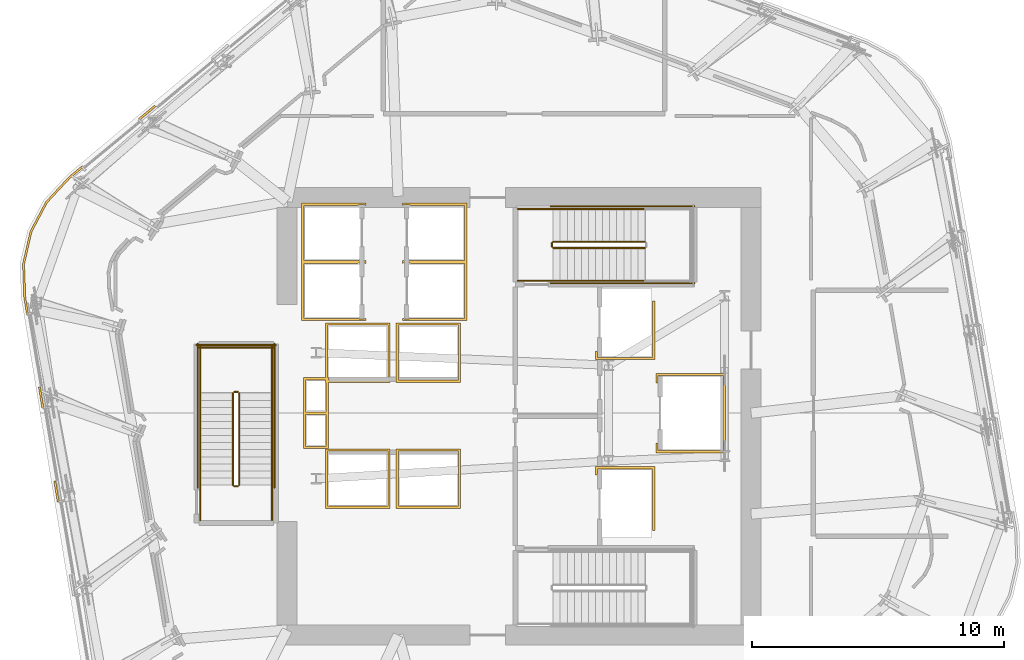
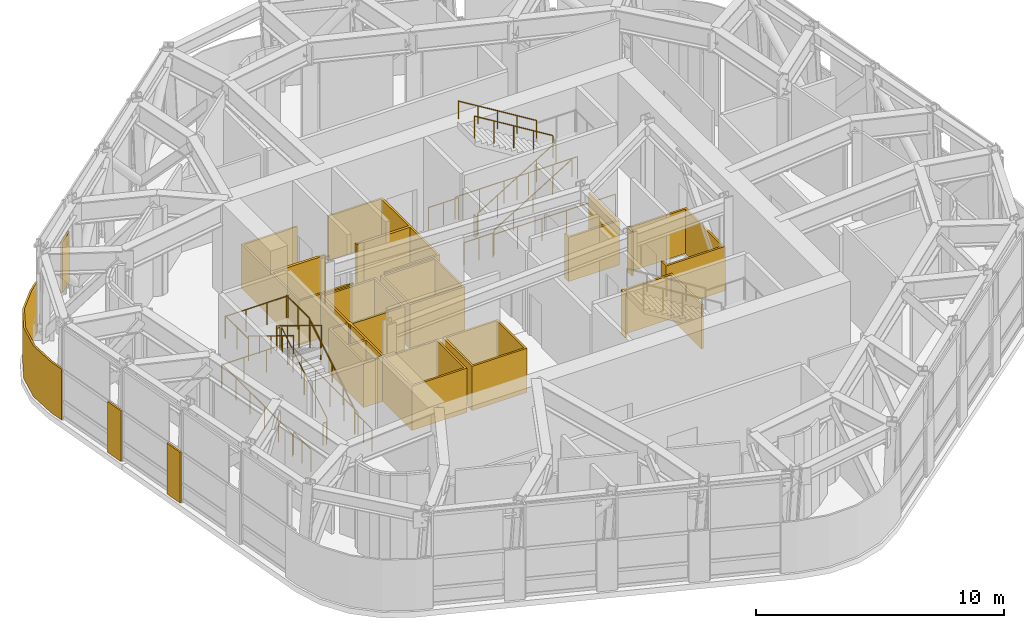
# One storey, part 14 of 16: 23 railings, 13 coverings.
"""IFC4 building model written with IfcOpenShell, lengths in metres."""

from ifc_helpers import new_model, si_unit, direction, frame, origin, origin_2d, place, context, subcontext, project, spatial, polyline, circle, outline, extrude, material, layer, layer_set, type_object, element, save


model = new_model("IFC4")

# Units and contexts
model_context = context("Model", 3, precision=1e-05, world=origin(), true_north=direction((0.0, 1.0)))
body_context = subcontext(model_context, "Body", "Model", "MODEL_VIEW")
ifc_project = project(units=[si_unit("LENGTHUNIT", "METRE"), si_unit("AREAUNIT", "SQUARE_METRE"), si_unit("VOLUMEUNIT", "CUBIC_METRE"), si_unit("PLANEANGLEUNIT", "RADIAN"), si_unit("MASSUNIT", "GRAM", prefix="KILO")], contexts=[model_context])

# Site, building, storey
site_placement = place(None, origin())
site = spatial("IfcSite", under=ifc_project, at=site_placement, CompositionType="ELEMENT")
building_placement = place(site_placement, origin())
building = spatial("IfcBuilding", under=site, at=building_placement, Name="Valkerne Bourse Tower", CompositionType="ELEMENT")
storey_placement = place(building_placement, frame((0.0, 0.0, 193.199951171875)))
storey = spatial("IfcBuildingStorey", under=building, at=storey_placement, Name="L49", CompositionType="ELEMENT", Elevation=193.199951171875)

# Coverings
ifc_material_1 = material(Name="Bronze Anodised Aluminium AA 6063-T6", Category="aluminium")
ifc_layer_1 = layer(ifc_material_1, 0.06005859375)
ifc_layer_set_1 = layer_set([ifc_layer_1], Name="Bronze Anodised Aluminium AA 6063-T6")
covering_type_1 = type_object("IfcCoveringType", Name="COV-CRN-ALUM", PredefinedType="CLADDING", material=ifc_layer_set_1)
covering_1_placement = place(storey_placement, origin())
element("IfcCovering", 1, at=covering_1_placement, inside=storey, type_object=covering_type_1, Name="L49 Wind-Shaped Corner Aluminium Cladding 11", PredefinedType="CLADDING", context=body_context, shape_type="SweptSolid", body=[
    extrude(outline(polyline([(28.3466796875, 24.304931640625), (28.42578125, 24.318115234375), (28.5615234375, 23.4892578125), (28.482666015625, 23.475830078125), (28.3466796875, 24.304931640625)])), origin(), (0.0, 0.0, 1.0), 2.5),
])
covering_2_placement = place(storey_placement, origin())
element("IfcCovering", 2, at=covering_2_placement, inside=storey, type_object=covering_type_1, Name="L49 Wind-Shaped Corner Aluminium Cladding 12", PredefinedType="CLADDING", context=body_context, shape_type="SweptSolid", body=[
    extrude(outline(polyline([(27.737060546875, 28.0263671875), (27.81591796875, 28.03955078125), (27.951904296875, 27.210693359375), (27.872802734375, 27.197509765625), (27.737060546875, 28.0263671875)])), origin(), (0.0, 0.0, 1.0), 2.5),
])
covering_3_placement = place(storey_placement, origin())
element("IfcCovering", 3, at=covering_3_placement, inside=storey, type_object=covering_type_1, Name="L49 Wind-Shaped Corner Aluminium Cladding 13", PredefinedType="CLADDING", context=body_context, shape_type="SweptSolid", body=[
    extrude(outline(polyline([(27.155029296875, 31.5791015625), (27.10595703125, 32.916015625), (27.4033203125, 34.21337890625), (28.026123046875, 35.389892578125), (28.93701171875, 36.3701171875), (29.4501953125, 36.79931640625), (29.501220703125, 36.737548828125), (28.9921875, 36.31201171875), (28.091796875, 35.34326171875), (27.47900390625, 34.185302734375), (27.186279296875, 32.908447265625), (27.23486328125, 31.5869140625), (27.342041015625, 30.93212890625), (27.26318359375, 30.918701171875), (27.155029296875, 31.5791015625)])), origin(), (0.0, 0.0, 1.0), 2.5),
])
covering_4_placement = place(storey_placement, origin())
element("IfcCovering", 4, at=covering_4_placement, inside=storey, type_object=covering_type_1, Name="L49 Wind-Shaped Corner Aluminium Cladding 14", PredefinedType="CLADDING", context=body_context, shape_type="SweptSolid", body=[
    extrude(outline(polyline([(32.343505859375, 39.218017578125), (32.394287109375, 39.15625), (31.75, 38.617431640625), (31.698974609375, 38.67919921875), (32.343505859375, 39.218017578125)])), origin(), (0.0, 0.0, 1.0), 2.5),
])
ifc_material_2 = material(Name="Gypsum Shaftwall Liner Board", Category="gypsum")
ifc_layer_2 = layer(ifc_material_2, 0.080078125)
ifc_layer_set_2 = layer_set([ifc_layer_2], Name="Gypsum Shaftwall Liner Board")
covering_type_2 = type_object("IfcCoveringType", Name="COV-SHF-CLAD", PredefinedType="CLADDING", material=ifc_layer_set_2)
covering_5_placement = place(storey_placement, origin())
element("IfcCovering", 5, at=covering_5_placement, inside=storey, type_object=covering_type_2, Name="L49 Hoistway & Riser Shaftwall Liner 01", PredefinedType="CLADDING", context=body_context, shape_type="SweptSolid", body=[
    extrude(outline(polyline([(41.679931640625, 25.580078125), (41.679931640625, 23.219970703125), (39.1201171875, 23.219970703125), (39.1201171875, 25.580078125), (41.679931640625, 25.580078125)]), holes=[polyline([(41.590087890625, 25.489990234375), (39.2099609375, 25.489990234375), (39.2099609375, 23.31005859375), (41.590087890625, 23.31005859375), (41.590087890625, 25.489990234375)])]), origin(), (0.0, 0.0, 1.0), 2.179931640625),
])
covering_6_placement = place(storey_placement, origin())
element("IfcCovering", 6, at=covering_6_placement, inside=storey, type_object=covering_type_2, Name="L49 Hoistway & Riser Shaftwall Liner 02", PredefinedType="CLADDING", context=body_context, shape_type="SweptSolid", body=[
    extrude(outline(polyline([(44.47998046875, 23.219970703125), (41.919921875, 23.219970703125), (41.919921875, 25.580078125), (44.47998046875, 25.580078125), (44.47998046875, 23.219970703125)]), holes=[polyline([(42.010009765625, 25.489990234375), (42.010009765625, 23.31005859375), (44.389892578125, 23.31005859375), (44.389892578125, 25.489990234375), (42.010009765625, 25.489990234375)])]), origin(), (0.0, 0.0, 1.0), 2.179931640625),
])
covering_7_placement = place(storey_placement, origin())
element("IfcCovering", 7, at=covering_7_placement, inside=storey, type_object=covering_type_2, Name="L49 Hoistway & Riser Shaftwall Liner 03", PredefinedType="CLADDING", context=body_context, shape_type="SweptSolid", body=[
    extrude(outline(polyline([(38.239990234375, 28.409912109375), (39.1201171875, 28.409912109375), (39.1201171875, 30.580078125), (41.679931640625, 30.580078125), (41.679931640625, 28.219970703125), (39.239990234375, 28.219970703125), (39.239990234375, 27.0400390625), (39.239990234375, 26.9599609375), (39.239990234375, 25.590087890625), (38.239990234375, 25.590087890625), (38.239990234375, 26.9599609375), (38.239990234375, 27.0400390625), (38.239990234375, 28.409912109375)]), holes=[polyline([(38.330078125, 26.949951171875), (38.330078125, 25.679931640625), (39.14990234375, 25.679931640625), (39.14990234375, 26.949951171875), (38.330078125, 26.949951171875)]), polyline([(39.2099609375, 30.489990234375), (39.2099609375, 28.409912109375), (39.239990234375, 28.409912109375), (39.239990234375, 28.31005859375), (41.590087890625, 28.31005859375), (41.590087890625, 30.489990234375), (39.2099609375, 30.489990234375)]), polyline([(38.330078125, 27.050048828125), (39.14990234375, 27.050048828125), (39.14990234375, 28.219970703125), (39.1201171875, 28.219970703125), (39.1201171875, 28.320068359375), (38.330078125, 28.320068359375), (38.330078125, 27.050048828125)])]), origin(), (0.0, 0.0, 1.0), 2.179931640625),
])
covering_8_placement = place(storey_placement, origin())
element("IfcCovering", 8, at=covering_8_placement, inside=storey, type_object=covering_type_2, Name="L49 Hoistway & Riser Shaftwall Liner 04", PredefinedType="CLADDING", context=body_context, shape_type="SweptSolid", body=[
    extrude(outline(polyline([(38.169921875, 35.330078125), (40.72998046875, 35.330078125), (40.72998046875, 35.232177734375), (40.72216796875, 35.235595703125), (40.6806640625, 35.25048828125), (40.6376953125, 35.261474609375), (40.593994140625, 35.267822265625), (40.550048828125, 35.27001953125), (40.505859375, 35.267822265625), (40.462158203125, 35.261474609375), (40.41943359375, 35.25048828125), (40.3896484375, 35.239990234375), (38.260009765625, 35.239990234375), (38.260009765625, 33.06005859375), (40.3896484375, 33.06005859375), (40.41943359375, 33.04931640625), (40.462158203125, 33.03857421875), (40.505859375, 33.0322265625), (40.550048828125, 33.030029296875), (40.593994140625, 33.0322265625), (40.6376953125, 33.03857421875), (40.6806640625, 33.04931640625), (40.72216796875, 33.064208984375), (40.72998046875, 33.06787109375), (40.72998046875, 33.030029296875), (40.72998046875, 32.969970703125), (40.72998046875, 32.93212890625), (40.72216796875, 32.935791015625), (40.6806640625, 32.95068359375), (40.6376953125, 32.96142578125), (40.593994140625, 32.9677734375), (40.550048828125, 32.969970703125), (40.505859375, 32.9677734375), (40.462158203125, 32.96142578125), (40.41943359375, 32.95068359375), (40.3896484375, 32.93994140625), (38.260009765625, 32.93994140625), (38.260009765625, 30.760009765625), (40.3896484375, 30.760009765625), (40.41943359375, 30.74951171875), (40.462158203125, 30.738525390625), (40.505859375, 30.732177734375), (40.550048828125, 30.72998046875), (40.593994140625, 30.732177734375), (40.6376953125, 30.738525390625), (40.6806640625, 30.74951171875), (40.72216796875, 30.764404296875), (40.72998046875, 30.767822265625), (40.72998046875, 30.669921875), (38.169921875, 30.669921875), (38.169921875, 32.969970703125), (38.169921875, 33.030029296875), (38.169921875, 35.330078125)])), origin(), (0.0, 0.0, 1.0), 2.179931640625),
])
covering_9_placement = place(storey_placement, origin())
element("IfcCovering", 9, at=covering_9_placement, inside=storey, type_object=covering_type_2, Name="L49 Hoistway & Riser Shaftwall Liner 05", PredefinedType="CLADDING", context=body_context, shape_type="SweptSolid", body=[
    extrude(outline(polyline([(52.179931640625, 22.35009765625), (52.090087890625, 22.35009765625), (52.090087890625, 24.7900390625), (49.909912109375, 24.7900390625), (49.909912109375, 24.560791015625), (49.869384765625, 24.550537109375), (49.827880859375, 24.53564453125), (49.820068359375, 24.531982421875), (49.820068359375, 24.8798828125), (52.179931640625, 24.8798828125), (52.179931640625, 22.35009765625)])), origin(), (0.0, 0.0, 1.0), 2.179931640625),
])
covering_10_placement = place(storey_placement, origin())
element("IfcCovering", 10, at=covering_10_placement, inside=storey, type_object=covering_type_2, Name="L49 Hoistway & Riser Shaftwall Liner 06", PredefinedType="CLADDING", context=body_context, shape_type="SweptSolid", body=[
    extrude(outline(polyline([(54.97998046875, 25.419921875), (52.219970703125, 25.419921875), (52.219970703125, 25.81787109375), (52.227783203125, 25.814208984375), (52.269287109375, 25.79931640625), (52.31005859375, 25.789306640625), (52.31005859375, 25.510009765625), (54.889892578125, 25.510009765625), (54.889892578125, 28.489990234375), (52.31005859375, 28.489990234375), (52.31005859375, 28.210693359375), (52.269287109375, 28.20068359375), (52.227783203125, 28.185791015625), (52.219970703125, 28.18212890625), (52.219970703125, 28.580078125), (54.97998046875, 28.580078125), (54.97998046875, 25.419921875)])), origin(), (0.0, 0.0, 1.0), 2.179931640625),
])
covering_11_placement = place(storey_placement, origin())
element("IfcCovering", 11, at=covering_11_placement, inside=storey, type_object=covering_type_2, Name="L49 Hoistway & Riser Shaftwall Liner 07", PredefinedType="CLADDING", context=body_context, shape_type="SweptSolid", body=[
    extrude(outline(polyline([(44.47998046875, 28.219970703125), (41.919921875, 28.219970703125), (41.919921875, 30.580078125), (44.47998046875, 30.580078125), (44.47998046875, 28.219970703125)]), holes=[polyline([(42.010009765625, 30.489990234375), (42.010009765625, 28.31005859375), (44.389892578125, 28.31005859375), (44.389892578125, 30.489990234375), (42.010009765625, 30.489990234375)])]), origin(), (0.0, 0.0, 1.0), 2.179931640625),
])
covering_12_placement = place(storey_placement, origin())
element("IfcCovering", 12, at=covering_12_placement, inside=storey, type_object=covering_type_2, Name="L49 Hoistway & Riser Shaftwall Liner 08", PredefinedType="CLADDING", context=body_context, shape_type="SweptSolid", body=[
    extrude(outline(polyline([(49.820068359375, 29.1201171875), (49.820068359375, 29.468017578125), (49.827880859375, 29.46435546875), (49.869384765625, 29.449462890625), (49.909912109375, 29.439208984375), (49.909912109375, 29.2099609375), (52.090087890625, 29.2099609375), (52.090087890625, 31.449951171875), (52.179931640625, 31.449951171875), (52.179931640625, 29.1201171875), (49.820068359375, 29.1201171875)])), origin(), (0.0, 0.0, 1.0), 2.179931640625),
])
covering_13_placement = place(storey_placement, origin())
element("IfcCovering", 13, at=covering_13_placement, inside=storey, type_object=covering_type_2, Name="L49 Hoistway & Riser Shaftwall Liner 09", PredefinedType="CLADDING", context=body_context, shape_type="SweptSolid", body=[
    extrude(outline(polyline([(42.169921875, 33.06787109375), (42.177734375, 33.064208984375), (42.219482421875, 33.04931640625), (42.26220703125, 33.03857421875), (42.305908203125, 33.0322265625), (42.35009765625, 33.030029296875), (42.39404296875, 33.0322265625), (42.437744140625, 33.03857421875), (42.480712890625, 33.04931640625), (42.51025390625, 33.06005859375), (44.639892578125, 33.06005859375), (44.639892578125, 35.239990234375), (42.51025390625, 35.239990234375), (42.480712890625, 35.25048828125), (42.437744140625, 35.261474609375), (42.39404296875, 35.267822265625), (42.35009765625, 35.27001953125), (42.305908203125, 35.267822265625), (42.26220703125, 35.261474609375), (42.219482421875, 35.25048828125), (42.177734375, 35.235595703125), (42.169921875, 35.232177734375), (42.169921875, 35.330078125), (44.72998046875, 35.330078125), (44.72998046875, 33.030029296875), (44.72998046875, 32.969970703125), (44.72998046875, 30.669921875), (42.169921875, 30.669921875), (42.169921875, 30.767822265625), (42.177734375, 30.764404296875), (42.219482421875, 30.74951171875), (42.26220703125, 30.738525390625), (42.305908203125, 30.732177734375), (42.35009765625, 30.72998046875), (42.39404296875, 30.732177734375), (42.437744140625, 30.738525390625), (42.480712890625, 30.74951171875), (42.51025390625, 30.760009765625), (44.639892578125, 30.760009765625), (44.639892578125, 32.93994140625), (42.51025390625, 32.93994140625), (42.480712890625, 32.95068359375), (42.437744140625, 32.96142578125), (42.39404296875, 32.9677734375), (42.35009765625, 32.969970703125), (42.305908203125, 32.9677734375), (42.26220703125, 32.96142578125), (42.219482421875, 32.95068359375), (42.177734375, 32.935791015625), (42.169921875, 32.93212890625), (42.169921875, 32.969970703125), (42.169921875, 33.030029296875), (42.169921875, 33.06787109375)])), origin(), (0.0, 0.0, 1.0), 2.179931640625),
])

# Railings
ifc_material_3 = material(Name="Galvanised Painted Steel", Category="steel")
railing_type_1 = type_object("IfcRailingType", Name="RLG-ST-GUARD-1120", PredefinedType="GUARDRAIL", material=ifc_material_3)
railing_1_placement = place(storey_placement, frame((48.14990234375, 33.550048828125, 0.17138671875)))
element("IfcRailing", 14, at=railing_1_placement, inside=storey, type_object=railing_type_1, Name="L49 ST-2 stair guard 1", PredefinedType="GUARDRAIL", context=body_context, shape_type="SweptSolid", body=[
    extrude(circle(Radius=0.02392578125, at=origin_2d()), frame((0.0, 0.0, 1.09619140625), z_axis=(0.852840387347, 0.0, 0.522171689878), x_axis=(0.0, 1.0, 0.0)), (0.0, 0.0, 1.0), 4.268310546875),
    extrude(circle(Radius=0.02099609375, at=origin_2d()), origin(), (0.0, 0.0, 1.0), 1.072021484375),
    extrude(circle(Radius=0.02099609375, at=origin_2d()), frame((0.91015625, 0.0, 0.55712890625)), (0.0, 0.0, 1.0), 1.072021484375),
    extrude(circle(Radius=0.02099609375, at=origin_2d()), frame((1.820068359375, 0.0, 1.1142578125)), (0.0, 0.0, 1.0), 1.072021484375),
    extrude(circle(Radius=0.02099609375, at=origin_2d()), frame((2.72998046875, 0.0, 1.671630859375)), (0.0, 0.0, 1.0), 1.072021484375),
    extrude(circle(Radius=0.02099609375, at=origin_2d()), frame((3.64013671875, 0.0, 2.228759765625)), (0.0, 0.0, 1.0), 1.072021484375),
])
railing_2_placement = place(storey_placement, frame((51.7900390625, 33.800048828125, 2.571533203125)))
element("IfcRailing", 15, at=railing_2_placement, inside=storey, type_object=railing_type_1, Name="L49 ST-2 stair guard 6", PredefinedType="GUARDRAIL", context=body_context, shape_type="SweptSolid", body=[
    extrude(circle(Radius=0.02392578125, at=origin_2d()), frame((0.0, 0.0, 1.09619140625), z_axis=(-0.852865859571, 0.0, 0.52213008492), x_axis=(0.0, -1.0, 0.0)), (0.0, 0.0, 1.0), 4.26806640625),
    extrude(circle(Radius=0.02099609375, at=origin_2d()), origin(), (0.0, 0.0, 1.0), 1.072021484375),
    extrude(circle(Radius=0.02099609375, at=origin_2d()), frame((-0.91015625, 0.0, 0.55712890625)), (0.0, 0.0, 1.0), 1.072021484375),
    extrude(circle(Radius=0.02099609375, at=origin_2d()), frame((-1.820068359375, 0.0, 1.1142578125)), (0.0, 0.0, 1.0), 1.072021484375),
    extrude(circle(Radius=0.02099609375, at=origin_2d()), frame((-2.72998046875, 0.0, 1.67138671875)), (0.0, 0.0, 1.0), 1.072021484375),
    extrude(circle(Radius=0.02099609375, at=origin_2d()), frame((-3.64013671875, 0.0, 2.228515625)), (0.0, 0.0, 1.0), 1.072021484375),
])
railing_3_placement = place(storey_placement, frame((48.10009765625, 33.60009765625, 0.0)))
element("IfcRailing", 16, at=railing_3_placement, inside=storey, type_object=railing_type_1, Name="L49 ST-2 stair guard 7", PredefinedType="GUARDRAIL", context=body_context, shape_type="SweptSolid", body=[
    extrude(circle(Radius=0.02392578125, at=origin_2d()), frame((0.0, 0.0, 1.09619140625), z_axis=(0.0, 1.0, 0.0), x_axis=(-1.0, 0.0, 0.0)), (0.0, 0.0, 1.0), 0.14990234375),
    extrude(circle(Radius=0.02099609375, at=origin_2d()), origin(), (0.0, 0.0, 1.0), 1.072021484375),
    extrude(circle(Radius=0.02099609375, at=origin_2d()), frame((0.0, 0.14990234375, 0.0)), (0.0, 0.0, 1.0), 1.072021484375),
])
for number, where, name in (
    (17, (46.75, 32.25, 0.0), "L49 ST-2 stair guard 8"),
    (18, (46.75, 35.10009765625, 0.0), "L49 ST-2 stair guard 9"),
):
    element("IfcRailing", number, at=place(storey_placement, frame(where)), inside=storey, type_object=railing_type_1, Name=name, PredefinedType="GUARDRAIL", context=body_context, shape_type="SweptSolid", body=[
        extrude(circle(Radius=0.02392578125, at=origin_2d()), frame((0.0, 0.0, 1.09619140625), z_axis=(1.0, 0.0, 0.0), x_axis=(0.0, 1.0, 0.0)), (0.0, 0.0, 1.0), 1.39990234375),
        extrude(circle(Radius=0.02099609375, at=origin_2d()), origin(), (0.0, 0.0, 1.0), 1.072021484375),
        extrude(circle(Radius=0.02099609375, at=origin_2d()), frame((0.699951171875, 0.0, 0.0)), (0.0, 0.0, 1.0), 1.072021484375),
        extrude(circle(Radius=0.02099609375, at=origin_2d()), frame((1.39990234375, 0.0, 0.0)), (0.0, 0.0, 1.0), 1.072021484375),
    ])
for number, where, name in (
    (19, (48.050048828125, 32.14990234375, 0.0), "L49 ST-2 stair guard 10"),
    (20, (48.050048828125, 35.199951171875, 0.0), "L49 ST-2 stair guard 11"),
):
    element("IfcRailing", number, at=place(storey_placement, frame(where)), inside=storey, type_object=railing_type_1, Name=name, PredefinedType="GUARDRAIL", context=body_context, shape_type="SweptSolid", body=[
        extrude(circle(Radius=0.02392578125, at=origin_2d()), frame((0.0, 0.0, 1.09619140625), z_axis=(1.0, 0.0, 0.0), x_axis=(0.0, 1.0, 0.0)), (0.0, 0.0, 1.0), 5.699951171875),
        extrude(circle(Radius=0.02099609375, at=origin_2d()), origin(), (0.0, 0.0, 1.0), 1.072021484375),
        extrude(circle(Radius=0.02099609375, at=origin_2d()), frame((1.139892578125, 0.0, 0.0)), (0.0, 0.0, 1.0), 1.072021484375),
        extrude(circle(Radius=0.02099609375, at=origin_2d()), frame((2.280029296875, 0.0, 0.0)), (0.0, 0.0, 1.0), 1.072021484375),
        extrude(circle(Radius=0.02099609375, at=origin_2d()), frame((3.419921875, 0.0, 0.0)), (0.0, 0.0, 1.0), 1.072021484375),
        extrude(circle(Radius=0.02099609375, at=origin_2d()), frame((4.56005859375, 0.0, 0.0)), (0.0, 0.0, 1.0), 1.072021484375),
        extrude(circle(Radius=0.02099609375, at=origin_2d()), frame((5.699951171875, 0.0, 0.0)), (0.0, 0.0, 1.0), 1.072021484375),
    ])
railing_4_placement = place(storey_placement, frame((35.699951171875, 24.14990234375, 0.17138671875)))
element("IfcRailing", 21, at=railing_4_placement, inside=storey, type_object=railing_type_1, Name="L49 ST-3 stair guard 1", PredefinedType="GUARDRAIL", context=body_context, shape_type="SweptSolid", body=[
    extrude(circle(Radius=0.02392578125, at=origin_2d()), frame((0.0, 0.0, 1.09619140625), z_axis=(0.0, 0.852840387347, 0.522171689878), x_axis=(-1.0, 0.0, 0.0)), (0.0, 0.0, 1.0), 4.268310546875),
    extrude(circle(Radius=0.02099609375, at=origin_2d()), origin(), (0.0, 0.0, 1.0), 1.072021484375),
    extrude(circle(Radius=0.02099609375, at=origin_2d()), frame((0.0, 0.91015625, 0.55712890625)), (0.0, 0.0, 1.0), 1.072021484375),
    extrude(circle(Radius=0.02099609375, at=origin_2d()), frame((0.0, 1.820068359375, 1.1142578125)), (0.0, 0.0, 1.0), 1.072021484375),
    extrude(circle(Radius=0.02099609375, at=origin_2d()), frame((0.0, 2.72998046875, 1.671630859375)), (0.0, 0.0, 1.0), 1.072021484375),
    extrude(circle(Radius=0.02099609375, at=origin_2d()), frame((0.0, 3.64013671875, 2.228759765625)), (0.0, 0.0, 1.0), 1.072021484375),
])
railing_5_placement = place(storey_placement, frame((35.64990234375, 27.840087890625, 2.400146484375)))
element("IfcRailing", 22, at=railing_5_placement, inside=storey, type_object=railing_type_1, Name="L49 ST-3 stair guard 2", PredefinedType="GUARDRAIL", context=body_context, shape_type="SweptSolid", body=[
    extrude(circle(Radius=0.02392578125, at=origin_2d()), frame((0.0, 0.0, 1.09619140625), z_axis=(-1.0, 0.0, 0.0), x_axis=(0.0, -1.0, 0.0)), (0.0, 0.0, 1.0), 0.14990234375),
    extrude(circle(Radius=0.02099609375, at=origin_2d()), origin(), (0.0, 0.0, 1.0), 1.072021484375),
    extrude(circle(Radius=0.02099609375, at=origin_2d()), frame((-0.14990234375, 0.0, 0.0)), (0.0, 0.0, 1.0), 1.072021484375),
])
for number, where, name in (
    (23, (37.0, 27.7900390625, 2.400146484375), "L49 ST-3 stair guard 3"),
    (24, (34.14990234375, 27.7900390625, 2.400146484375), "L49 ST-3 stair guard 4"),
):
    element("IfcRailing", number, at=place(storey_placement, frame(where)), inside=storey, type_object=railing_type_1, Name=name, PredefinedType="GUARDRAIL", context=body_context, shape_type="SweptSolid", body=[
        extrude(circle(Radius=0.02392578125, at=origin_2d()), frame((0.0, 0.0, 1.09619140625), z_axis=(0.0, 1.0, 0.0), x_axis=(-1.0, 0.0, 0.0)), (0.0, 0.0, 1.0), 1.85986328125),
        extrude(circle(Radius=0.02099609375, at=origin_2d()), origin(), (0.0, 0.0, 1.0), 1.072021484375),
        extrude(circle(Radius=0.02099609375, at=origin_2d()), frame((0.0, 0.929931640625, 0.0)), (0.0, 0.0, 1.0), 1.072021484375),
        extrude(circle(Radius=0.02099609375, at=origin_2d()), frame((0.0, 1.85986328125, 0.0)), (0.0, 0.0, 1.0), 1.072021484375),
    ])
railing_6_placement = place(storey_placement, frame((37.050048828125, 29.60009765625, 2.400146484375)))
element("IfcRailing", 25, at=railing_6_placement, inside=storey, type_object=railing_type_1, Name="L49 ST-3 stair guard 5", PredefinedType="GUARDRAIL", context=body_context, shape_type="SweptSolid", body=[
    extrude(circle(Radius=0.02392578125, at=origin_2d()), frame((0.0, 0.0, 1.09619140625), z_axis=(-1.0, 0.0, 0.0), x_axis=(0.0, -1.0, 0.0)), (0.0, 0.0, 1.0), 2.949951171875),
    extrude(circle(Radius=0.02099609375, at=origin_2d()), origin(), (0.0, 0.0, 1.0), 1.072021484375),
    extrude(circle(Radius=0.02099609375, at=origin_2d()), frame((-0.9833984375, 0.0, 0.0)), (0.0, 0.0, 1.0), 1.072021484375),
    extrude(circle(Radius=0.02099609375, at=origin_2d()), frame((-1.966552734375, 0.0, 0.0)), (0.0, 0.0, 1.0), 1.072021484375),
    extrude(circle(Radius=0.02099609375, at=origin_2d()), frame((-2.949951171875, 0.0, 0.0)), (0.0, 0.0, 1.0), 1.072021484375),
])
railing_7_placement = place(storey_placement, frame((35.449951171875, 27.7900390625, 2.571533203125)))
element("IfcRailing", 26, at=railing_7_placement, inside=storey, type_object=railing_type_1, Name="L49 ST-3 stair guard 6", PredefinedType="GUARDRAIL", context=body_context, shape_type="SweptSolid", body=[
    extrude(circle(Radius=0.02392578125, at=origin_2d()), frame((0.0, 0.0, 1.09619140625), z_axis=(0.0, -0.852865859571, 0.52213008492), x_axis=(1.0, 0.0, 0.0)), (0.0, 0.0, 1.0), 4.26806640625),
    extrude(circle(Radius=0.02099609375, at=origin_2d()), origin(), (0.0, 0.0, 1.0), 1.072021484375),
    extrude(circle(Radius=0.02099609375, at=origin_2d()), frame((0.0, -0.91015625, 0.55712890625)), (0.0, 0.0, 1.0), 1.072021484375),
    extrude(circle(Radius=0.02099609375, at=origin_2d()), frame((0.0, -1.820068359375, 1.1142578125)), (0.0, 0.0, 1.0), 1.072021484375),
    extrude(circle(Radius=0.02099609375, at=origin_2d()), frame((0.0, -2.72998046875, 1.67138671875)), (0.0, 0.0, 1.0), 1.072021484375),
    extrude(circle(Radius=0.02099609375, at=origin_2d()), frame((0.0, -3.64013671875, 2.228515625)), (0.0, 0.0, 1.0), 1.072021484375),
])
railing_8_placement = place(storey_placement, frame((35.64990234375, 24.10009765625, 0.0)))
element("IfcRailing", 27, at=railing_8_placement, inside=storey, type_object=railing_type_1, Name="L49 ST-3 stair guard 7", PredefinedType="GUARDRAIL", context=body_context, shape_type="SweptSolid", body=[
    extrude(circle(Radius=0.02392578125, at=origin_2d()), frame((0.0, 0.0, 1.09619140625), z_axis=(-1.0, 0.0, 0.0), x_axis=(0.0, -1.0, 0.0)), (0.0, 0.0, 1.0), 0.14990234375),
    extrude(circle(Radius=0.02099609375, at=origin_2d()), origin(), (0.0, 0.0, 1.0), 1.072021484375),
    extrude(circle(Radius=0.02099609375, at=origin_2d()), frame((-0.14990234375, 0.0, 0.0)), (0.0, 0.0, 1.0), 1.072021484375),
])
for number, where, name in (
    (28, (37.0, 22.75, 0.0), "L49 ST-3 stair guard 8"),
    (29, (34.14990234375, 22.75, 0.0), "L49 ST-3 stair guard 9"),
):
    element("IfcRailing", number, at=place(storey_placement, frame(where)), inside=storey, type_object=railing_type_1, Name=name, PredefinedType="GUARDRAIL", context=body_context, shape_type="SweptSolid", body=[
        extrude(circle(Radius=0.02392578125, at=origin_2d()), frame((0.0, 0.0, 1.09619140625), z_axis=(0.0, 1.0, 0.0), x_axis=(-1.0, 0.0, 0.0)), (0.0, 0.0, 1.0), 1.39990234375),
        extrude(circle(Radius=0.02099609375, at=origin_2d()), origin(), (0.0, 0.0, 1.0), 1.072021484375),
        extrude(circle(Radius=0.02099609375, at=origin_2d()), frame((0.0, 0.699951171875, 0.0)), (0.0, 0.0, 1.0), 1.072021484375),
        extrude(circle(Radius=0.02099609375, at=origin_2d()), frame((0.0, 1.39990234375, 0.0)), (0.0, 0.0, 1.0), 1.072021484375),
    ])
for number, where, name in (
    (30, (37.10009765625, 24.050048828125, 0.0), "L49 ST-3 stair guard 10"),
    (31, (34.050048828125, 24.050048828125, 0.0), "L49 ST-3 stair guard 11"),
):
    element("IfcRailing", number, at=place(storey_placement, frame(where)), inside=storey, type_object=railing_type_1, Name=name, PredefinedType="GUARDRAIL", context=body_context, shape_type="SweptSolid", body=[
        extrude(circle(Radius=0.02392578125, at=origin_2d()), frame((0.0, 0.0, 1.09619140625), z_axis=(0.0, 1.0, 0.0), x_axis=(-1.0, 0.0, 0.0)), (0.0, 0.0, 1.0), 5.699951171875),
        extrude(circle(Radius=0.02099609375, at=origin_2d()), origin(), (0.0, 0.0, 1.0), 1.072021484375),
        extrude(circle(Radius=0.02099609375, at=origin_2d()), frame((0.0, 1.139892578125, 0.0)), (0.0, 0.0, 1.0), 1.072021484375),
        extrude(circle(Radius=0.02099609375, at=origin_2d()), frame((0.0, 2.280029296875, 0.0)), (0.0, 0.0, 1.0), 1.072021484375),
        extrude(circle(Radius=0.02099609375, at=origin_2d()), frame((0.0, 3.419921875, 0.0)), (0.0, 0.0, 1.0), 1.072021484375),
        extrude(circle(Radius=0.02099609375, at=origin_2d()), frame((0.0, 4.56005859375, 0.0)), (0.0, 0.0, 1.0), 1.072021484375),
        extrude(circle(Radius=0.02099609375, at=origin_2d()), frame((0.0, 5.699951171875, 0.0)), (0.0, 0.0, 1.0), 1.072021484375),
    ])
railing_9_placement = place(storey_placement, frame((37.14990234375, 29.699951171875, 0.0)))
element("IfcRailing", 32, at=railing_9_placement, inside=storey, type_object=railing_type_1, Name="L49 ST-3 stair guard 12", PredefinedType="GUARDRAIL", context=body_context, shape_type="SweptSolid", body=[
    extrude(circle(Radius=0.02392578125, at=origin_2d()), frame((0.0, 0.0, 1.09619140625), z_axis=(-1.0, 0.0, 0.0), x_axis=(0.0, -1.0, 0.0)), (0.0, 0.0, 1.0), 3.14990234375),
    extrude(circle(Radius=0.02099609375, at=origin_2d()), origin(), (0.0, 0.0, 1.0), 1.072021484375),
    extrude(circle(Radius=0.02099609375, at=origin_2d()), frame((-1.050048828125, 0.0, 0.0)), (0.0, 0.0, 1.0), 1.072021484375),
    extrude(circle(Radius=0.02099609375, at=origin_2d()), frame((-2.099853515625, 0.0, 0.0)), (0.0, 0.0, 1.0), 1.072021484375),
    extrude(circle(Radius=0.02099609375, at=origin_2d()), frame((-3.14990234375, 0.0, 0.0)), (0.0, 0.0, 1.0), 1.072021484375),
])
ifc_material_4 = material(Name="Stainless Steel AISI 316", Category="steel")
railing_type_2 = type_object("IfcRailingType", Name="RLG-ST-HANDRAIL-900", PredefinedType="HANDRAIL", material=ifc_material_4)
railing_10_placement = place(storey_placement, frame((48.14990234375, 32.25, 0.343017578125)))
element("IfcRailing", 33, at=railing_10_placement, inside=storey, type_object=railing_type_2, Name="L49 ST-2 stair handrail 1", PredefinedType="HANDRAIL", context=body_context, shape_type="SweptSolid", body=[
    extrude(circle(Radius=0.02392578125, at=origin_2d()), frame((0.0, 0.0, 0.8759765625), z_axis=(0.852865859571, 0.0, 0.52213008492), x_axis=(0.0, 1.0, 0.0)), (0.0, 0.0, 1.0), 4.26806640625),
    extrude(circle(Radius=0.02099609375, at=origin_2d()), origin(), (0.0, 0.0, 1.0), 0.851806640625),
    extrude(circle(Radius=0.02099609375, at=origin_2d()), frame((0.91015625, 0.0, 0.55712890625)), (0.0, 0.0, 1.0), 0.851806640625),
    extrude(circle(Radius=0.02099609375, at=origin_2d()), frame((1.820068359375, 0.0, 1.1142578125)), (0.0, 0.0, 1.0), 0.851806640625),
    extrude(circle(Radius=0.02099609375, at=origin_2d()), frame((2.72998046875, 0.0, 1.67138671875)), (0.0, 0.0, 1.0), 0.851806640625),
    extrude(circle(Radius=0.02099609375, at=origin_2d()), frame((3.64013671875, 0.0, 2.228515625)), (0.0, 0.0, 1.0), 0.851806640625),
])
railing_11_placement = place(storey_placement, frame((51.7900390625, 35.10009765625, 2.742919921875)))
element("IfcRailing", 34, at=railing_11_placement, inside=storey, type_object=railing_type_2, Name="L49 ST-2 stair handrail 2", PredefinedType="HANDRAIL", context=body_context, shape_type="SweptSolid", body=[
    extrude(circle(Radius=0.02392578125, at=origin_2d()), frame((0.0, 0.0, 0.8759765625), z_axis=(-0.852865859571, 0.0, 0.52213008492), x_axis=(0.0, -1.0, 0.0)), (0.0, 0.0, 1.0), 4.26806640625),
    extrude(circle(Radius=0.02099609375, at=origin_2d()), origin(), (0.0, 0.0, 1.0), 0.851806640625),
    extrude(circle(Radius=0.02099609375, at=origin_2d()), frame((-0.91015625, 0.0, 0.55712890625)), (0.0, 0.0, 1.0), 0.851806640625),
    extrude(circle(Radius=0.02099609375, at=origin_2d()), frame((-1.820068359375, 0.0, 1.1142578125)), (0.0, 0.0, 1.0), 0.851806640625),
    extrude(circle(Radius=0.02099609375, at=origin_2d()), frame((-2.72998046875, 0.0, 1.67138671875)), (0.0, 0.0, 1.0), 0.851806640625),
    extrude(circle(Radius=0.02099609375, at=origin_2d()), frame((-3.64013671875, 0.0, 2.228515625)), (0.0, 0.0, 1.0), 0.851806640625),
])
railing_12_placement = place(storey_placement, frame((37.0, 24.14990234375, 0.343017578125)))
element("IfcRailing", 35, at=railing_12_placement, inside=storey, type_object=railing_type_2, Name="L49 ST-3 stair handrail 1", PredefinedType="HANDRAIL", context=body_context, shape_type="SweptSolid", body=[
    extrude(circle(Radius=0.02392578125, at=origin_2d()), frame((0.0, 0.0, 0.8759765625), z_axis=(0.0, 0.852865859571, 0.52213008492), x_axis=(-1.0, 0.0, 0.0)), (0.0, 0.0, 1.0), 4.26806640625),
    extrude(circle(Radius=0.02099609375, at=origin_2d()), origin(), (0.0, 0.0, 1.0), 0.851806640625),
    extrude(circle(Radius=0.02099609375, at=origin_2d()), frame((0.0, 0.91015625, 0.55712890625)), (0.0, 0.0, 1.0), 0.851806640625),
    extrude(circle(Radius=0.02099609375, at=origin_2d()), frame((0.0, 1.820068359375, 1.1142578125)), (0.0, 0.0, 1.0), 0.851806640625),
    extrude(circle(Radius=0.02099609375, at=origin_2d()), frame((0.0, 2.72998046875, 1.67138671875)), (0.0, 0.0, 1.0), 0.851806640625),
    extrude(circle(Radius=0.02099609375, at=origin_2d()), frame((0.0, 3.64013671875, 2.228515625)), (0.0, 0.0, 1.0), 0.851806640625),
])
railing_13_placement = place(storey_placement, frame((34.14990234375, 27.7900390625, 2.742919921875)))
element("IfcRailing", 36, at=railing_13_placement, inside=storey, type_object=railing_type_2, Name="L49 ST-3 stair handrail 2", PredefinedType="HANDRAIL", context=body_context, shape_type="SweptSolid", body=[
    extrude(circle(Radius=0.02392578125, at=origin_2d()), frame((0.0, 0.0, 0.8759765625), z_axis=(0.0, -0.852865859571, 0.52213008492), x_axis=(1.0, 0.0, 0.0)), (0.0, 0.0, 1.0), 4.26806640625),
    extrude(circle(Radius=0.02099609375, at=origin_2d()), origin(), (0.0, 0.0, 1.0), 0.851806640625),
    extrude(circle(Radius=0.02099609375, at=origin_2d()), frame((0.0, -0.91015625, 0.55712890625)), (0.0, 0.0, 1.0), 0.851806640625),
    extrude(circle(Radius=0.02099609375, at=origin_2d()), frame((0.0, -1.820068359375, 1.1142578125)), (0.0, 0.0, 1.0), 0.851806640625),
    extrude(circle(Radius=0.02099609375, at=origin_2d()), frame((0.0, -2.72998046875, 1.67138671875)), (0.0, 0.0, 1.0), 0.851806640625),
    extrude(circle(Radius=0.02099609375, at=origin_2d()), frame((0.0, -3.64013671875, 2.228515625)), (0.0, 0.0, 1.0), 0.851806640625),
])

save(model, "model.ifc")
